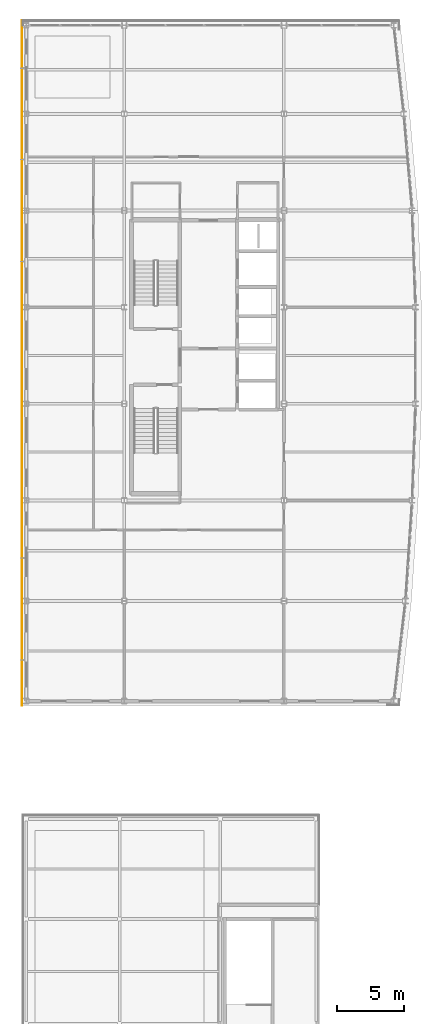
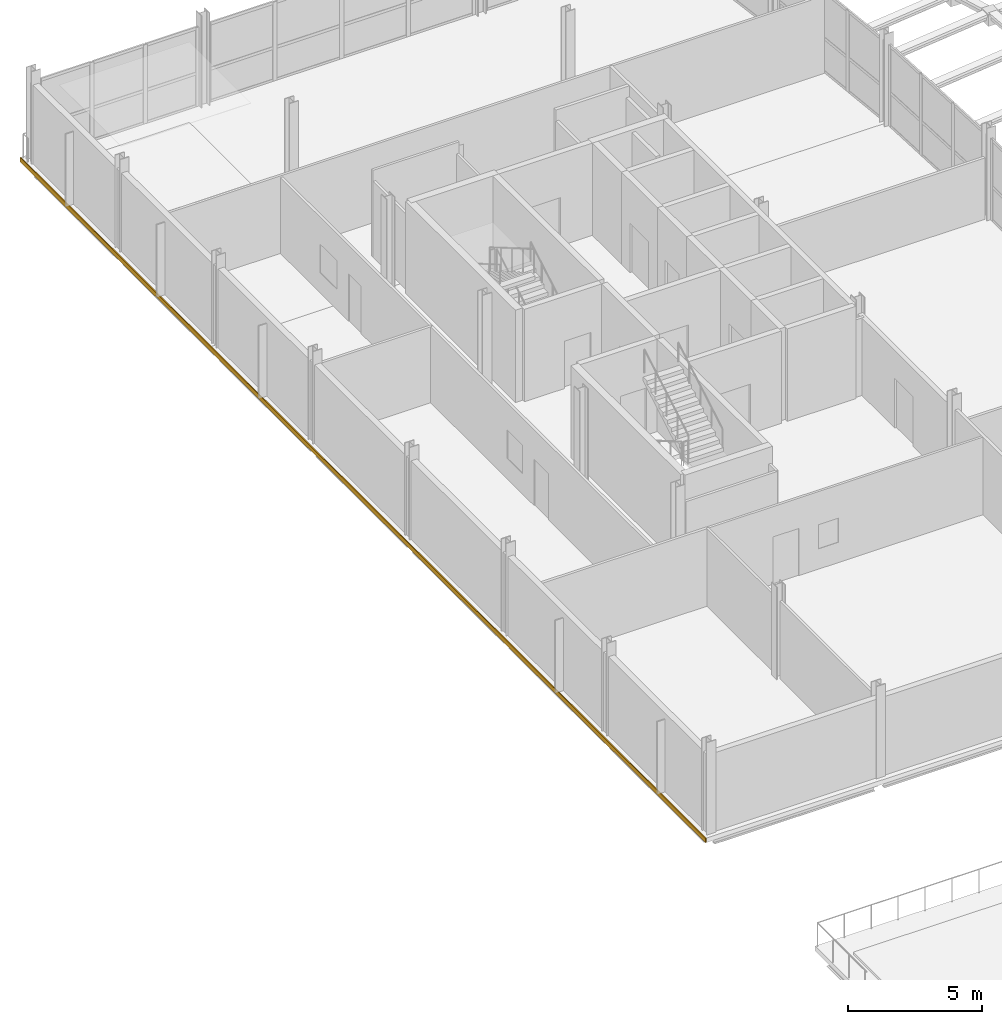
# One storey, part 29 of 36: 1 covering.
"""IFC4 building model written with IfcOpenShell, lengths in metres."""

from ifc_helpers import new_model, si_unit, direction, frame, origin, place, context, subcontext, project, spatial, polyline, outline, extrude, material, layer, layer_set, type_object, element, save


model = new_model("IFC4")

# Units and contexts
model_context = context("Model", 3, precision=1e-05, world=origin(), true_north=direction((0.0, 1.0)))
body_context = subcontext(model_context, "Body", "Model", "MODEL_VIEW")
ifc_project = project(units=[si_unit("LENGTHUNIT", "METRE"), si_unit("AREAUNIT", "SQUARE_METRE"), si_unit("VOLUMEUNIT", "CUBIC_METRE"), si_unit("PLANEANGLEUNIT", "RADIAN"), si_unit("MASSUNIT", "GRAM", prefix="KILO")], contexts=[model_context])

# Site, building, storey
site_placement = place(None, origin())
site = spatial("IfcSite", under=ifc_project, at=site_placement, CompositionType="ELEMENT")
building_placement = place(site_placement, origin())
building = spatial("IfcBuilding", under=site, at=building_placement, Name="Quillay Park Conservatory", CompositionType="ELEMENT")
storey_placement = place(building_placement, frame((0.0, 0.0, 18.300048828125)))
storey = spatial("IfcBuildingStorey", under=building, at=storey_placement, Name="L04", CompositionType="ELEMENT", Elevation=18.300048828125)

# Covering
ifc_material = material(Name="Glass-Fibre Reinforced Concrete (GRC) Cladding", Category="concrete")
ifc_layer = layer(ifc_material, 0.044921875)
ifc_layer_set = layer_set([ifc_layer], Name="GRC SPANDREL CLADDING 45 (Glass-Fibre Reinforced Concrete (GRC) Cladding)")
covering_type = type_object("IfcCoveringType", Name="GRC SPANDREL CLADDING 45", PredefinedType="CLADDING", material=ifc_layer_set)
covering_placement = place(storey_placement, frame((0.0, 0.0, -0.199951171875)))
element("IfcCovering", 1, at=covering_placement, inside=storey, type_object=covering_type, Name="L04 West Folded GRC Spandrel Ribbon", PredefinedType="CLADDING", context=body_context, shape_type="SweptSolid", body=[
    extrude(outline(polyline([(0.205078125, 62.699951171875), (0.25, 62.699951171875), (0.25, 113.800048828125), (0.205078125, 113.800048828125), (0.205078125, 62.699951171875)])), origin(), (0.0, 0.0, 1.0), 0.199951171875),
])

save(model, "model.ifc")
